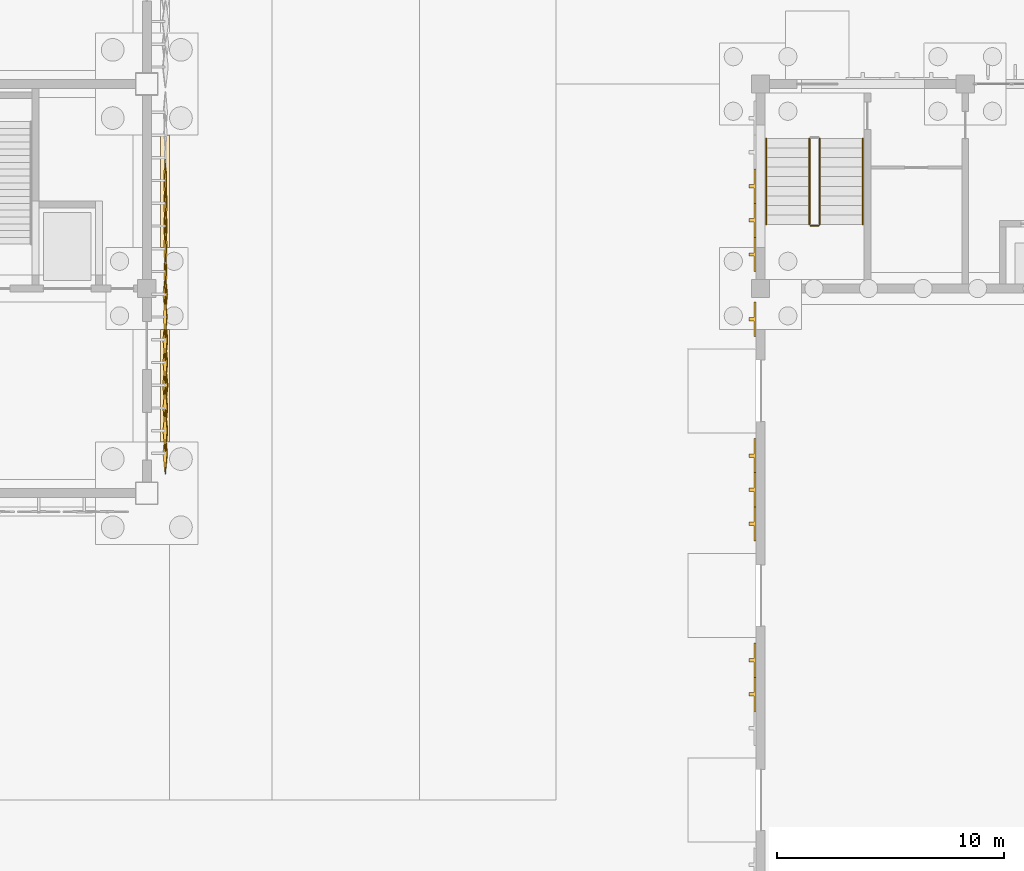
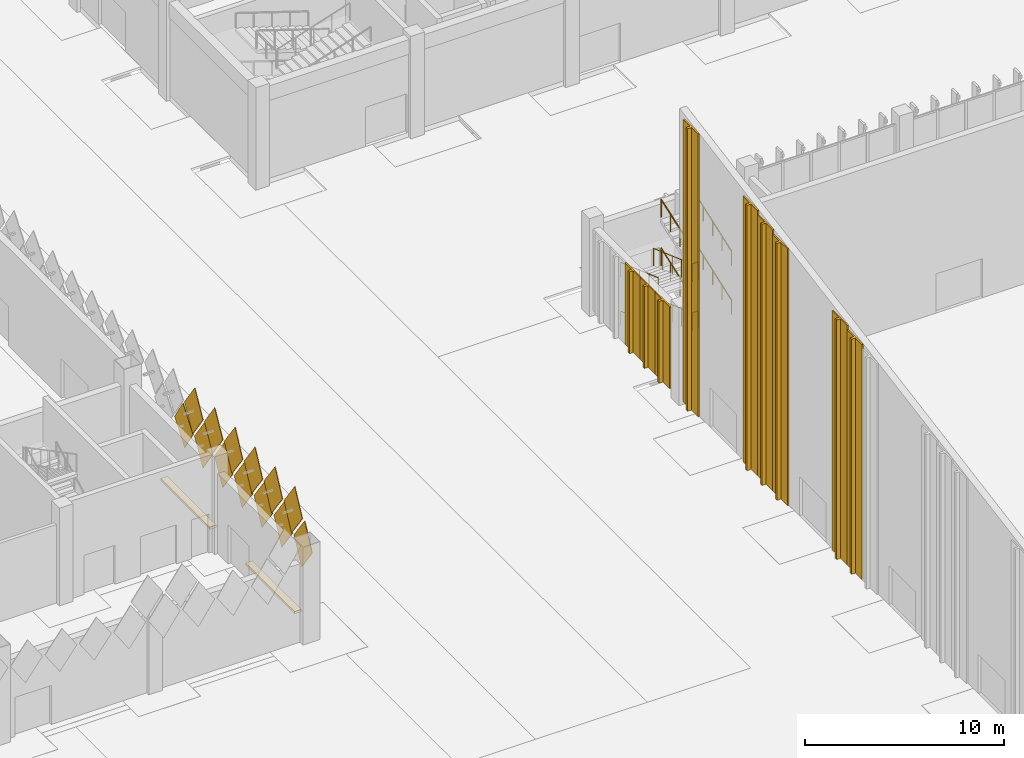
# One storey, part 178 of 198: 24 coverings, 10 railings.
"""IFC4 building model written with IfcOpenShell, lengths in metres."""

from ifc_helpers import new_model, si_unit, direction, frame, origin, origin_2d, place, context, subcontext, project, spatial, polyline, circle, outline, extrude, material, layer, layer_set, constituent, constituent_set, material_profile, profile_set, type_object, element, save


model = new_model("IFC4")

# Units and contexts
model_context = context("Model", 3, precision=1e-05, world=origin(), true_north=direction((0.0, 1.0)))
body_context = subcontext(model_context, "Body", "Model", "MODEL_VIEW")
ifc_project = project(units=[si_unit("LENGTHUNIT", "METRE"), si_unit("AREAUNIT", "SQUARE_METRE"), si_unit("VOLUMEUNIT", "CUBIC_METRE"), si_unit("PLANEANGLEUNIT", "RADIAN"), si_unit("MASSUNIT", "GRAM", prefix="KILO")], contexts=[model_context])

# Site, building, storey
site_placement = place(None, origin())
site = spatial("IfcSite", under=ifc_project, at=site_placement, CompositionType="ELEMENT")
building_placement = place(site_placement, origin())
building = spatial("IfcBuilding", under=site, at=building_placement, Name="Opaline Strait Convention Centre", CompositionType="ELEMENT")
storey_placement = place(building_placement, origin())
storey = spatial("IfcBuildingStorey", under=building, at=storey_placement, Name="L00", CompositionType="ELEMENT", Elevation=0.0)

# Coverings
ifc_material_1 = material(Name="White ceramic-faced aluminium tile", Category="aluminium")
ifc_material_profile_1 = material_profile(ifc_material_1, outline(polyline([(0.927978515625, 0.0), (0.0, 1.39208984375), (-0.927978515625, 0.0), (0.0, -1.39208984375), (0.927978515625, 0.0)])), Name="Diamond tile 1856x2784")
ifc_profile_set_1 = profile_set([ifc_material_profile_1], Name="White ceramic-faced aluminium tile")
covering_type_1 = type_object("IfcCoveringType", Name="Diamond wall tile 1856x2784x30 pivot 2 deg", PredefinedType="CLADDING", material=ifc_profile_set_1)
for number, where, z_axis, x_axis, name in (
    (1, (261.800048828125, 63.75, 4.39208984375), (0.999174794796, 0.0, -0.040616861577), (0.0, 1.0, 0.0), "Wall tile XT04 E"),
    (2, (261.800048828125, 65.75, 4.39208984375), (0.999174794796, 0.0, -0.040616861577), (0.0, 1.0, 0.0), "Wall tile XT04 E"),
    (3, (261.800048828125, 67.75, 4.39208984375), (0.999471633277, 0.0, 0.032503142546), (0.0, 1.0, 0.0), "Wall tile XT04 E"),
    (4, (261.800048828125, 64.75, 5.89208984375), (0.999174794796, 0.0, -0.040616861577), (0.0, 1.0, 0.0), "Wall tile XT04 E"),
    (5, (261.800048828125, 66.75, 5.89208984375), (0.999174794796, 0.0, -0.040616861577), (0.0, 1.0, 0.0), "Wall tile XT04 E"),
):
    element("IfcCovering", number, at=place(storey_placement, frame(where, z_axis=z_axis, x_axis=x_axis)), inside=storey, type_object=covering_type_1, Name=name, PredefinedType="CLADDING", context=body_context, shape_type="SweptSolid", body=[
        extrude(outline(polyline([(0.927978515625, 0.0), (0.0, 1.39208984375), (-0.927978515625, 0.0), (0.0, -1.39208984375), (0.927978515625, 0.0)])), origin(), (0.0, 0.0, 1.0), 0.030029296875),
    ])
ifc_material_profile_2 = material_profile(ifc_material_1, outline(polyline([(0.927978515625, 0.0), (0.0, 1.39208984375), (-0.927978515625, 0.0), (0.0, -1.39208984375), (0.927978515625, 0.0)])), Name="Diamond tile 1856x2784")
ifc_profile_set_2 = profile_set([ifc_material_profile_2], Name="White ceramic-faced aluminium tile")
covering_type_2 = type_object("IfcCoveringType", Name="Diamond wall tile 1856x2784x30 pivot 3 deg", PredefinedType="CLADDING", material=ifc_profile_set_2)
covering_1_placement = place(storey_placement, frame((261.800048828125, 61.75, 4.39208984375), z_axis=(0.998384516691, 0.0, -0.056818631031), x_axis=(0.0, 1.0, 0.0)))
element("IfcCovering", 6, at=covering_1_placement, inside=storey, type_object=covering_type_2, Name="Wall tile XT06 E", PredefinedType="CLADDING", context=body_context, shape_type="SweptSolid", body=[
    extrude(outline(polyline([(0.927978515625, 0.0), (0.0, 1.39208984375), (-0.927978515625, 0.0), (0.0, -1.39208984375), (0.927978515625, 0.0)])), origin(), (0.0, 0.0, 1.0), 0.030029296875),
])
ifc_material_profile_3 = material_profile(ifc_material_1, outline(polyline([(0.927978515625, 0.0), (0.0, 1.39208984375), (-0.927978515625, 0.0), (0.0, -1.39208984375), (0.927978515625, 0.0)])), Name="Diamond tile 1856x2784")
ifc_profile_set_3 = profile_set([ifc_material_profile_3], Name="White ceramic-faced aluminium tile")
covering_type_3 = type_object("IfcCoveringType", Name="Diamond wall tile 1856x2784x30 pivot 3.5 deg", PredefinedType="CLADDING", material=ifc_profile_set_3)
for number, where, z_axis, x_axis, name in (
    (7, (261.800048828125, 55.75, 4.39208984375), (0.99785694905, 0.0, -0.065433242561), (0.0, 1.0, 0.0), "Wall tile XT07 E"),
    (8, (261.800048828125, 57.75, 4.39208984375), (0.99785694905, 0.0, -0.065433242561), (0.0, 1.0, 0.0), "Wall tile XT07 E"),
    (9, (261.800048828125, 59.75, 4.39208984375), (0.99785694905, 0.0, -0.065433242561), (0.0, 1.0, 0.0), "Wall tile XT07 E"),
    (10, (261.800048828125, 56.75, 5.89208984375), (0.99785694905, 0.0, -0.065433242561), (0.0, 1.0, 0.0), "Wall tile XT07 E"),
    (11, (261.800048828125, 60.75, 5.89208984375), (0.99785694905, 0.0, -0.065433242561), (0.0, 1.0, 0.0), "Wall tile XT07 E"),
    (12, (261.800048828125, 62.75, 5.89208984375), (0.99785694905, 0.0, -0.065433242561), (0.0, 1.0, 0.0), "Wall tile XT07 E"),
):
    element("IfcCovering", number, at=place(storey_placement, frame(where, z_axis=z_axis, x_axis=x_axis)), inside=storey, type_object=covering_type_3, Name=name, PredefinedType="CLADDING", context=body_context, shape_type="SweptSolid", body=[
        extrude(outline(polyline([(0.927978515625, 0.0), (0.0, 1.39208984375), (-0.927978515625, 0.0), (0.0, -1.39208984375), (0.927978515625, 0.0)])), origin(), (0.0, 0.0, 1.0), 0.02978515625),
    ])
ifc_material_profile_4 = material_profile(ifc_material_1, outline(polyline([(0.927978515625, 0.0), (0.0, 1.39208984375), (-0.927978515625, 0.0), (0.0, -1.39208984375), (0.927978515625, 0.0)])), Name="Diamond tile 1856x2784")
ifc_profile_set_4 = profile_set([ifc_material_profile_4], Name="White ceramic-faced aluminium tile")
covering_type_4 = type_object("IfcCoveringType", Name="Diamond wall tile 1856x2784x30 pivot 4 deg", PredefinedType="CLADDING", material=ifc_profile_set_4)
covering_2_placement = place(storey_placement, frame((261.800048828125, 58.75, 5.89208984375), z_axis=(0.997290013252, 0.0, -0.073570574748), x_axis=(0.0, 1.0, 0.0)))
element("IfcCovering", 13, at=covering_2_placement, inside=storey, type_object=covering_type_4, Name="Wall tile XT08 E", PredefinedType="CLADDING", context=body_context, shape_type="SweptSolid", body=[
    extrude(outline(polyline([(0.927978515625, 0.0), (0.0, 1.39208984375), (-0.927978515625, 0.0), (0.0, -1.39208984375), (0.927978515625, 0.0)])), origin(), (0.0, 0.0, 1.0), 0.02978515625),
])

# Railings
ifc_material_2 = material(Name="Steel Q235B", Category="steel")
ifc_constituent_1 = constituent(ifc_material_2, Name="Frame")
ifc_material_3 = material(Name="Safety glass, bonded interlayer", Category="glass")
ifc_constituent_2 = constituent(ifc_material_3, Name="Infill")
ifc_constituent_set = constituent_set(constituents=[ifc_constituent_1, ifc_constituent_2], Name="Steel Q235B, Safety glass, bonded interlayer")
railing_type_1 = type_object("IfcRailingType", Name="Guard 1100 steel and glass", PredefinedType="GUARDRAIL", material=ifc_constituent_set)
railing_1_placement = place(storey_placement, frame((290.14990234375, 69.60009765625, 0.14990234375)))
element("IfcRailing", 14, at=railing_1_placement, inside=storey, type_object=railing_type_1, Name="L00 B-STNW stair guard 1", PredefinedType="GUARDRAIL", context=body_context, shape_type="SweptSolid", body=[
    extrude(circle(Radius=0.02392578125, at=origin_2d()), frame((0.0, 0.0, 1.076171875), z_axis=(0.0, -0.941735030876, 0.336355662388), x_axis=(1.0, 0.0, 0.0)), (0.0, 0.0, 1.0), 4.013916015625),
    extrude(circle(Radius=0.02099609375, at=origin_2d()), origin(), (0.0, 0.0, 1.0), 1.052001953125),
    extrude(circle(Radius=0.02099609375, at=origin_2d()), frame((0.0, -0.945068359375, 0.33740234375)), (0.0, 0.0, 1.0), 1.052001953125),
    extrude(circle(Radius=0.02099609375, at=origin_2d()), frame((0.0, -1.89013671875, 0.675048828125)), (0.0, 0.0, 1.0), 1.052001953125),
    extrude(circle(Radius=0.02099609375, at=origin_2d()), frame((0.0, -2.8349609375, 1.0126953125)), (0.0, 0.0, 1.0), 1.052001953125),
    extrude(circle(Radius=0.02099609375, at=origin_2d()), frame((0.0, -3.780029296875, 1.35009765625)), (0.0, 0.0, 1.0), 1.052001953125),
])
railing_2_placement = place(storey_placement, frame((290.199951171875, 65.77001953125, 1.5)))
element("IfcRailing", 15, at=railing_2_placement, inside=storey, type_object=railing_type_1, Name="L00 B-STNW stair guard 2", PredefinedType="GUARDRAIL", context=body_context, shape_type="SweptSolid", body=[
    extrude(circle(Radius=0.02392578125, at=origin_2d()), frame((0.0, 0.0, 1.076171875), z_axis=(1.0, 0.0, 0.0), x_axis=(0.0, 1.0, 0.0)), (0.0, 0.0, 1.0), 0.35009765625),
    extrude(circle(Radius=0.02099609375, at=origin_2d()), origin(), (0.0, 0.0, 1.0), 1.052001953125),
    extrude(circle(Radius=0.02099609375, at=origin_2d()), frame((0.35009765625, 0.0, 0.0)), (0.0, 0.0, 1.0), 1.052001953125),
])
railing_3_placement = place(storey_placement, frame((290.60009765625, 65.820068359375, 1.64990234375)))
element("IfcRailing", 16, at=railing_3_placement, inside=storey, type_object=railing_type_1, Name="L00 B-STNW stair guard 3", PredefinedType="GUARDRAIL", context=body_context, shape_type="SweptSolid", body=[
    extrude(circle(Radius=0.02392578125, at=origin_2d()), frame((0.0, 0.0, 1.076171875), z_axis=(0.0, 0.941735030876, 0.336355662388), x_axis=(-1.0, 0.0, 0.0)), (0.0, 0.0, 1.0), 4.013916015625),
    extrude(circle(Radius=0.02099609375, at=origin_2d()), origin(), (0.0, 0.0, 1.0), 1.052001953125),
    extrude(circle(Radius=0.02099609375, at=origin_2d()), frame((0.0, 0.945068359375, 0.33740234375)), (0.0, 0.0, 1.0), 1.052001953125),
    extrude(circle(Radius=0.02099609375, at=origin_2d()), frame((0.0, 1.89013671875, 0.675048828125)), (0.0, 0.0, 1.0), 1.052001953125),
    extrude(circle(Radius=0.02099609375, at=origin_2d()), frame((0.0, 2.8349609375, 1.0126953125)), (0.0, 0.0, 1.0), 1.052001953125),
    extrude(circle(Radius=0.02099609375, at=origin_2d()), frame((0.0, 3.780029296875, 1.35009765625)), (0.0, 0.0, 1.0), 1.052001953125),
])
railing_4_placement = place(storey_placement, frame((290.14990234375, 69.60009765625, 3.14990234375)))
element("IfcRailing", 17, at=railing_4_placement, inside=storey, type_object=railing_type_1, Name="L00 B-STNW stair guard 5", PredefinedType="GUARDRAIL", context=body_context, shape_type="SweptSolid", body=[
    extrude(circle(Radius=0.02392578125, at=origin_2d()), frame((0.0, 0.0, 1.076171875), z_axis=(0.0, -0.941735030876, 0.336355662388), x_axis=(1.0, 0.0, 0.0)), (0.0, 0.0, 1.0), 4.013916015625),
    extrude(circle(Radius=0.02099609375, at=origin_2d()), origin(), (0.0, 0.0, 1.0), 1.052001953125),
    extrude(circle(Radius=0.02099609375, at=origin_2d()), frame((0.0, -0.945068359375, 0.33740234375)), (0.0, 0.0, 1.0), 1.052001953125),
    extrude(circle(Radius=0.02099609375, at=origin_2d()), frame((0.0, -1.89013671875, 0.675048828125)), (0.0, 0.0, 1.0), 1.052001953125),
    extrude(circle(Radius=0.02099609375, at=origin_2d()), frame((0.0, -2.8349609375, 1.0126953125)), (0.0, 0.0, 1.0), 1.052001953125),
    extrude(circle(Radius=0.02099609375, at=origin_2d()), frame((0.0, -3.780029296875, 1.35009765625)), (0.0, 0.0, 1.0), 1.052001953125),
])
railing_5_placement = place(storey_placement, frame((290.199951171875, 65.77001953125, 4.5)))
element("IfcRailing", 18, at=railing_5_placement, inside=storey, type_object=railing_type_1, Name="L00 B-STNW stair guard 6", PredefinedType="GUARDRAIL", context=body_context, shape_type="SweptSolid", body=[
    extrude(circle(Radius=0.02392578125, at=origin_2d()), frame((0.0, 0.0, 1.076171875), z_axis=(1.0, 0.0, 0.0), x_axis=(0.0, 1.0, 0.0)), (0.0, 0.0, 1.0), 0.35009765625),
    extrude(circle(Radius=0.02099609375, at=origin_2d()), origin(), (0.0, 0.0, 1.0), 1.052001953125),
    extrude(circle(Radius=0.02099609375, at=origin_2d()), frame((0.35009765625, 0.0, 0.0)), (0.0, 0.0, 1.0), 1.052001953125),
])
railing_6_placement = place(storey_placement, frame((290.60009765625, 65.820068359375, 4.64990234375)))
element("IfcRailing", 19, at=railing_6_placement, inside=storey, type_object=railing_type_1, Name="L00 B-STNW stair guard 7", PredefinedType="GUARDRAIL", context=body_context, shape_type="SweptSolid", body=[
    extrude(circle(Radius=0.02392578125, at=origin_2d()), frame((0.0, 0.0, 1.076171875), z_axis=(0.0, 0.941735030876, 0.336355662388), x_axis=(-1.0, 0.0, 0.0)), (0.0, 0.0, 1.0), 4.013916015625),
    extrude(circle(Radius=0.02099609375, at=origin_2d()), origin(), (0.0, 0.0, 1.0), 1.052001953125),
    extrude(circle(Radius=0.02099609375, at=origin_2d()), frame((0.0, 0.945068359375, 0.33740234375)), (0.0, 0.0, 1.0), 1.052001953125),
    extrude(circle(Radius=0.02099609375, at=origin_2d()), frame((0.0, 1.89013671875, 0.675048828125)), (0.0, 0.0, 1.0), 1.052001953125),
    extrude(circle(Radius=0.02099609375, at=origin_2d()), frame((0.0, 2.8349609375, 1.0126953125)), (0.0, 0.0, 1.0), 1.052001953125),
    extrude(circle(Radius=0.02099609375, at=origin_2d()), frame((0.0, 3.780029296875, 1.35009765625)), (0.0, 0.0, 1.0), 1.052001953125),
])

# Coverings
ifc_material_4 = material(Name="Concrete C40 precast white", Category="concrete")
ifc_layer_1 = layer(ifc_material_4, 0.300048828125)
ifc_layer_set_1 = layer_set([ifc_layer_1], Name="Concrete C40 precast white")
covering_type_5 = type_object("IfcCoveringType", Name="Ribbed precast panel white 1500", PredefinedType="CLADDING", material=ifc_layer_set_1)
covering_3_placement = place(storey_placement, origin())
element("IfcCovering", 20, at=covering_3_placement, inside=storey, type_object=covering_type_5, Name="Ribbed panel L00-W27 12", PredefinedType="CLADDING", context=body_context, shape_type="SweptSolid", body=[
    extrude(outline(polyline([(287.800048828125, 44.39990234375), (287.800048828125, 45.89990234375), (287.719970703125, 45.89990234375), (287.719970703125, 45.22509765625), (287.5, 45.22509765625), (287.5, 45.074951171875), (287.719970703125, 45.074951171875), (287.719970703125, 44.39990234375), (287.800048828125, 44.39990234375)])), origin(), (0.0, 0.0, 1.0), 14.44580078125),
])
covering_4_placement = place(storey_placement, origin())
element("IfcCovering", 21, at=covering_4_placement, inside=storey, type_object=covering_type_5, Name="Ribbed panel L00-W27 13", PredefinedType="CLADDING", context=body_context, shape_type="SweptSolid", body=[
    extrude(outline(polyline([(287.800048828125, 45.89990234375), (287.800048828125, 47.39990234375), (287.719970703125, 47.39990234375), (287.719970703125, 46.72509765625), (287.5, 46.72509765625), (287.5, 46.574951171875), (287.719970703125, 46.574951171875), (287.719970703125, 45.89990234375), (287.800048828125, 45.89990234375)])), origin(), (0.0, 0.0, 1.0), 14.710205078125),
])
covering_5_placement = place(storey_placement, origin())
element("IfcCovering", 22, at=covering_5_placement, inside=storey, type_object=covering_type_5, Name="Ribbed panel L00-W27 17", PredefinedType="CLADDING", context=body_context, shape_type="SweptSolid", body=[
    extrude(outline(polyline([(287.800048828125, 51.89990234375), (287.800048828125, 53.39990234375), (287.719970703125, 53.39990234375), (287.719970703125, 52.72509765625), (287.5, 52.72509765625), (287.5, 52.574951171875), (287.719970703125, 52.574951171875), (287.719970703125, 51.89990234375), (287.800048828125, 51.89990234375)])), origin(), (0.0, 0.0, 1.0), 15.768310546875),
])
covering_6_placement = place(storey_placement, origin())
element("IfcCovering", 23, at=covering_6_placement, inside=storey, type_object=covering_type_5, Name="Ribbed panel L00-W27 18", PredefinedType="CLADDING", context=body_context, shape_type="SweptSolid", body=[
    extrude(outline(polyline([(287.800048828125, 53.39990234375), (287.800048828125, 54.89990234375), (287.719970703125, 54.89990234375), (287.719970703125, 54.22509765625), (287.5, 54.22509765625), (287.5, 54.074951171875), (287.719970703125, 54.074951171875), (287.719970703125, 53.39990234375), (287.800048828125, 53.39990234375)])), origin(), (0.0, 0.0, 1.0), 16.03271484375),
])
covering_7_placement = place(storey_placement, origin())
element("IfcCovering", 24, at=covering_7_placement, inside=storey, type_object=covering_type_5, Name="Ribbed panel L00-W27 19", PredefinedType="CLADDING", context=body_context, shape_type="SweptSolid", body=[
    extrude(outline(polyline([(287.800048828125, 54.89990234375), (287.800048828125, 56.39990234375), (287.719970703125, 56.39990234375), (287.719970703125, 55.72509765625), (287.5, 55.72509765625), (287.5, 55.574951171875), (287.719970703125, 55.574951171875), (287.719970703125, 54.89990234375), (287.800048828125, 54.89990234375)])), origin(), (0.0, 0.0, 1.0), 16.297119140625),
])
covering_8_placement = place(storey_placement, origin())
element("IfcCovering", 25, at=covering_8_placement, inside=storey, type_object=covering_type_5, Name="Ribbed panel L00-W27 23", PredefinedType="CLADDING", context=body_context, shape_type="SweptSolid", body=[
    extrude(outline(polyline([(287.800048828125, 60.89990234375), (287.800048828125, 62.39990234375), (287.719970703125, 62.39990234375), (287.719970703125, 61.72509765625), (287.5, 61.72509765625), (287.5, 61.574951171875), (287.719970703125, 61.574951171875), (287.719970703125, 60.89990234375), (287.800048828125, 60.89990234375)])), origin(), (0.0, 0.0, 1.0), 17.355224609375),
])
covering_9_placement = place(storey_placement, origin())
element("IfcCovering", 26, at=covering_9_placement, inside=storey, type_object=covering_type_5, Name="Ribbed panel L00-W63 1", PredefinedType="CLADDING", context=body_context, shape_type="SweptSolid", body=[
    extrude(outline(polyline([(287.800048828125, 63.75), (287.800048828125, 65.25), (287.719970703125, 65.25), (287.719970703125, 64.574951171875), (287.5, 64.574951171875), (287.5, 64.425048828125), (287.719970703125, 64.425048828125), (287.719970703125, 63.75), (287.800048828125, 63.75)])), origin(), (0.0, 0.0, 1.0), 5.02001953125),
])
covering_10_placement = place(storey_placement, origin())
element("IfcCovering", 27, at=covering_10_placement, inside=storey, type_object=covering_type_5, Name="Ribbed panel L00-W63 2", PredefinedType="CLADDING", context=body_context, shape_type="SweptSolid", body=[
    extrude(outline(polyline([(287.800048828125, 65.25), (287.800048828125, 66.75), (287.719970703125, 66.75), (287.719970703125, 66.074951171875), (287.5, 66.074951171875), (287.5, 65.925048828125), (287.719970703125, 65.925048828125), (287.719970703125, 65.25), (287.800048828125, 65.25)])), origin(), (0.0, 0.0, 1.0), 5.02001953125),
])
covering_11_placement = place(storey_placement, origin())
element("IfcCovering", 28, at=covering_11_placement, inside=storey, type_object=covering_type_5, Name="Ribbed panel L00-W63 3", PredefinedType="CLADDING", context=body_context, shape_type="SweptSolid", body=[
    extrude(outline(polyline([(287.800048828125, 66.75), (287.800048828125, 68.25), (287.719970703125, 68.25), (287.719970703125, 67.574951171875), (287.5, 67.574951171875), (287.5, 67.425048828125), (287.719970703125, 67.425048828125), (287.719970703125, 66.75), (287.800048828125, 66.75)])), origin(), (0.0, 0.0, 1.0), 5.02001953125),
])
ifc_material_5 = material(Name="Concrete C30 exposed aggregate", Category="concrete")
ifc_layer_2 = layer(ifc_material_5, 0.14990234375)
ifc_layer_set_2 = layer_set([ifc_layer_2], Name="Concrete C30 exposed aggregate")
covering_type_6 = type_object("IfcCoveringType", Name="Site paving 150", PredefinedType="FLOORING", material=ifc_layer_set_2)
covering_12_placement = place(storey_placement, frame((0.0, 0.0, -0.14990234375)))
element("IfcCovering", 29, at=covering_12_placement, inside=storey, type_object=covering_type_6, Name="Site paving surfacing", PredefinedType="FLOORING", context=body_context, shape_type="SweptSolid", body=[
    extrude(outline(polyline([(261.60498046875, 56.2548828125), (262.0, 56.2548828125), (262.0, 61.195068359375), (261.60498046875, 61.195068359375), (261.60498046875, 56.2548828125)])), origin(), (0.0, 0.0, 1.0), 0.14990234375),
])
covering_13_placement = place(storey_placement, frame((0.0, 0.0, -0.14990234375)))
element("IfcCovering", 30, at=covering_13_placement, inside=storey, type_object=covering_type_6, Name="Site paving surfacing", PredefinedType="FLOORING", context=body_context, shape_type="SweptSolid", body=[
    extrude(outline(polyline([(261.60498046875, 64.804931640625), (262.0, 64.804931640625), (262.0, 69.7451171875), (261.60498046875, 69.7451171875), (261.60498046875, 64.804931640625)])), origin(), (0.0, 0.0, 1.0), 0.14990234375),
])

# Railings
ifc_material_6 = material(Name="Stainless steel 304", Category="steel")
railing_type_2 = type_object("IfcRailingType", Name="Stair handrail 900", PredefinedType="HANDRAIL", material=ifc_material_6)
railing_7_placement = place(storey_placement, frame((288.25, 69.60009765625, 0.14990234375)))
element("IfcRailing", 31, at=railing_7_placement, inside=storey, type_object=railing_type_2, Name="L00 B-STNW stair handrail 1", PredefinedType="HANDRAIL", context=body_context, shape_type="SweptSolid", body=[
    extrude(circle(Radius=0.02392578125, at=origin_2d()), frame((0.0, 0.0, 0.8759765625), z_axis=(0.0, -0.941735030876, 0.336355662388), x_axis=(1.0, 0.0, 0.0)), (0.0, 0.0, 1.0), 4.013916015625),
    extrude(circle(Radius=0.02099609375, at=origin_2d()), origin(), (0.0, 0.0, 1.0), 0.851806640625),
    extrude(circle(Radius=0.02099609375, at=origin_2d()), frame((0.0, -0.945068359375, 0.33740234375)), (0.0, 0.0, 1.0), 0.851806640625),
    extrude(circle(Radius=0.02099609375, at=origin_2d()), frame((0.0, -1.89013671875, 0.675048828125)), (0.0, 0.0, 1.0), 0.851806640625),
    extrude(circle(Radius=0.02099609375, at=origin_2d()), frame((0.0, -2.8349609375, 1.0126953125)), (0.0, 0.0, 1.0), 0.851806640625),
    extrude(circle(Radius=0.02099609375, at=origin_2d()), frame((0.0, -3.780029296875, 1.35009765625)), (0.0, 0.0, 1.0), 0.851806640625),
])
railing_8_placement = place(storey_placement, frame((292.5, 65.820068359375, 1.64990234375)))
element("IfcRailing", 32, at=railing_8_placement, inside=storey, type_object=railing_type_2, Name="L00 B-STNW stair handrail 2", PredefinedType="HANDRAIL", context=body_context, shape_type="SweptSolid", body=[
    extrude(circle(Radius=0.02392578125, at=origin_2d()), frame((0.0, 0.0, 0.8759765625), z_axis=(0.0, 0.941735030876, 0.336355662388), x_axis=(-1.0, 0.0, 0.0)), (0.0, 0.0, 1.0), 4.013916015625),
    extrude(circle(Radius=0.02099609375, at=origin_2d()), origin(), (0.0, 0.0, 1.0), 0.851806640625),
    extrude(circle(Radius=0.02099609375, at=origin_2d()), frame((0.0, 0.945068359375, 0.33740234375)), (0.0, 0.0, 1.0), 0.851806640625),
    extrude(circle(Radius=0.02099609375, at=origin_2d()), frame((0.0, 1.89013671875, 0.675048828125)), (0.0, 0.0, 1.0), 0.851806640625),
    extrude(circle(Radius=0.02099609375, at=origin_2d()), frame((0.0, 2.8349609375, 1.0126953125)), (0.0, 0.0, 1.0), 0.851806640625),
    extrude(circle(Radius=0.02099609375, at=origin_2d()), frame((0.0, 3.780029296875, 1.35009765625)), (0.0, 0.0, 1.0), 0.851806640625),
])
railing_9_placement = place(storey_placement, frame((288.25, 69.60009765625, 3.14990234375)))
element("IfcRailing", 33, at=railing_9_placement, inside=storey, type_object=railing_type_2, Name="L00 B-STNW stair handrail 3", PredefinedType="HANDRAIL", context=body_context, shape_type="SweptSolid", body=[
    extrude(circle(Radius=0.02392578125, at=origin_2d()), frame((0.0, 0.0, 0.8759765625), z_axis=(0.0, -0.941735030876, 0.336355662388), x_axis=(1.0, 0.0, 0.0)), (0.0, 0.0, 1.0), 4.013916015625),
    extrude(circle(Radius=0.02099609375, at=origin_2d()), origin(), (0.0, 0.0, 1.0), 0.851806640625),
    extrude(circle(Radius=0.02099609375, at=origin_2d()), frame((0.0, -0.945068359375, 0.33740234375)), (0.0, 0.0, 1.0), 0.851806640625),
    extrude(circle(Radius=0.02099609375, at=origin_2d()), frame((0.0, -1.89013671875, 0.675048828125)), (0.0, 0.0, 1.0), 0.851806640625),
    extrude(circle(Radius=0.02099609375, at=origin_2d()), frame((0.0, -2.8349609375, 1.0126953125)), (0.0, 0.0, 1.0), 0.851806640625),
    extrude(circle(Radius=0.02099609375, at=origin_2d()), frame((0.0, -3.780029296875, 1.35009765625)), (0.0, 0.0, 1.0), 0.851806640625),
])
railing_10_placement = place(storey_placement, frame((292.5, 65.820068359375, 4.64990234375)))
element("IfcRailing", 34, at=railing_10_placement, inside=storey, type_object=railing_type_2, Name="L00 B-STNW stair handrail 4", PredefinedType="HANDRAIL", context=body_context, shape_type="SweptSolid", body=[
    extrude(circle(Radius=0.02392578125, at=origin_2d()), frame((0.0, 0.0, 0.8759765625), z_axis=(0.0, 0.941735030876, 0.336355662388), x_axis=(-1.0, 0.0, 0.0)), (0.0, 0.0, 1.0), 4.013916015625),
    extrude(circle(Radius=0.02099609375, at=origin_2d()), origin(), (0.0, 0.0, 1.0), 0.851806640625),
    extrude(circle(Radius=0.02099609375, at=origin_2d()), frame((0.0, 0.945068359375, 0.33740234375)), (0.0, 0.0, 1.0), 0.851806640625),
    extrude(circle(Radius=0.02099609375, at=origin_2d()), frame((0.0, 1.89013671875, 0.675048828125)), (0.0, 0.0, 1.0), 0.851806640625),
    extrude(circle(Radius=0.02099609375, at=origin_2d()), frame((0.0, 2.8349609375, 1.0126953125)), (0.0, 0.0, 1.0), 0.851806640625),
    extrude(circle(Radius=0.02099609375, at=origin_2d()), frame((0.0, 3.780029296875, 1.35009765625)), (0.0, 0.0, 1.0), 0.851806640625),
])

save(model, "model.ifc")
